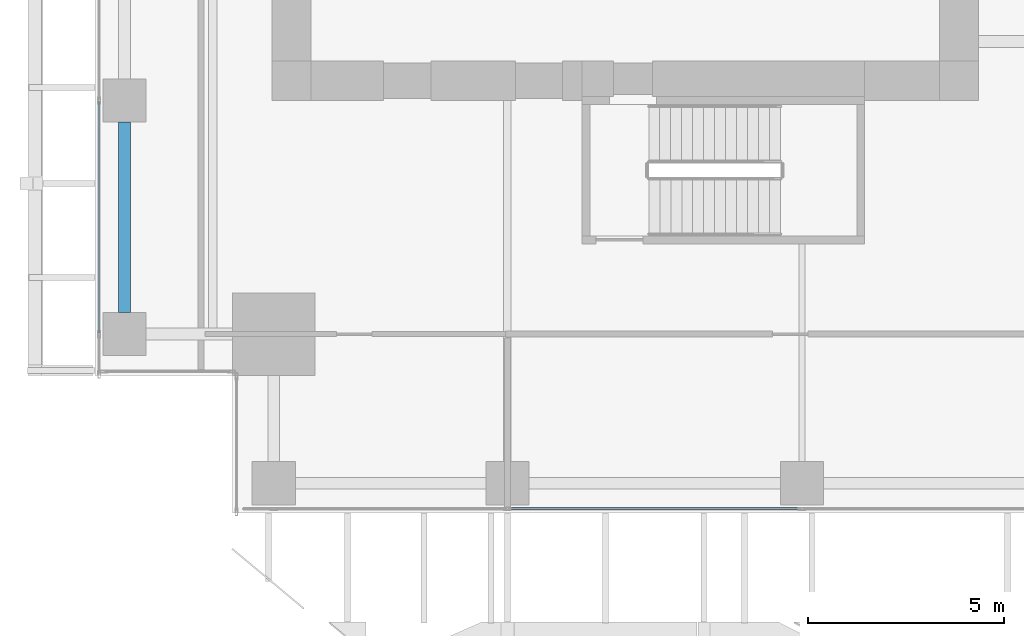
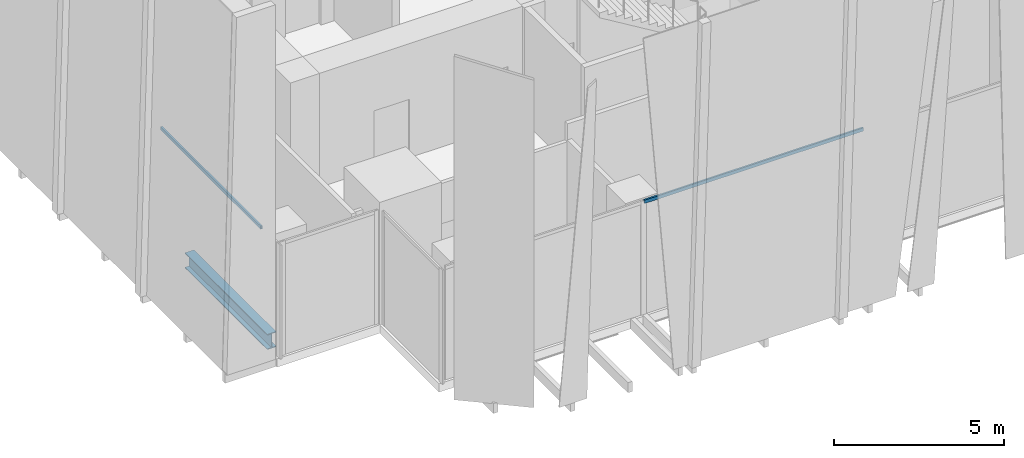
# One storey, part 3 of 36: 2 members, 1 beam, 2 elements without a shape of their own.
"""IFC4 building model written with IfcOpenShell, lengths in metres."""

import ifcopenshell
import ifcopenshell.guid

model = None  # the IFC model being written
_history = None  # IfcOwnerHistory: only IFC2X3 demands one
_inside = {}  # id of a spatial element -> (the spatial element, [elements in it])
_under = {}  # id of a project, library or spatial element -> (it, [spatial elements below it])
_declared = {}  # id of a project -> (the project, [libraries it declares])
_typed = {}  # id of a type object -> (the type object, [elements of that type])
_made_of = {}  # id of a material, layer set ... -> (it, [elements and type objects made of it])


def new_model(schema):
    """Start an empty IFC model of exactly this schema.

    Asked for "IFC4X3", IfcOpenShell would pick the latest addendum, in which some entities
    have other attributes; the version numbers below select the first issue.
    IFC2X3 requires an IfcOwnerHistory on every rooted entity: one is made here for all.
    """
    global model, _history
    if schema == "IFC4X3":
        model = ifcopenshell.file(schema_version=(4, 3, 0, 0))
    else:
        model = ifcopenshell.file(schema=schema)
    _inside.clear()
    _under.clear()
    _declared.clear()
    _typed.clear()
    _made_of.clear()
    _history = None
    if model.schema == "IFC2X3":
        org = make("IfcOrganization", Name="unknown")
        user = make(
            "IfcPersonAndOrganization",
            ThePerson=make("IfcPerson", FamilyName="unknown"),
            TheOrganization=org,
        )
        app = make(
            "IfcApplication",
            ApplicationDeveloper=org,
            Version="unknown",
            ApplicationFullName="unknown",
            ApplicationIdentifier="unknown",
        )
        _history = make(
            "IfcOwnerHistory",
            OwningUser=user,
            OwningApplication=app,
            ChangeAction="ADDED",
            CreationDate=0,
        )
    return model


def make(cls, **values):
    """One entity of the class cls with the attributes given. An attribute that is None is left unset."""
    return model.create_entity(
        cls, **{name: value for name, value in values.items() if value is not None}
    )


def rooted(cls, **values):
    """An entity with a GlobalId (a new one), such as an element, a storey or a relation."""
    return make(cls, GlobalId=ifcopenshell.guid.new(), OwnerHistory=_history, **values)


def si_unit(unit_type, name, prefix=None):
    """IfcSIUnit, for example si_unit("LENGTHUNIT", "METRE", prefix="MILLI")."""
    return make("IfcSIUnit", UnitType=unit_type, Prefix=prefix, Name=name)


def assignment(units):
    """IfcUnitAssignment: the units of a project."""
    return None if units is None else make("IfcUnitAssignment", Units=units)


def point(xyz):
    """IfcCartesianPoint."""
    return None if xyz is None else make("IfcCartesianPoint", Coordinates=xyz)


def direction(xyz):
    """IfcDirection."""
    return None if xyz is None else make("IfcDirection", DirectionRatios=xyz)


def frame(location, z_axis=None, x_axis=None):
    """IfcAxis2Placement3D, a coordinate frame: its origin and axes. An axis left out is left unset."""
    return make(
        "IfcAxis2Placement3D",
        Location=point(location),
        Axis=direction(z_axis),
        RefDirection=direction(x_axis),
    )


def frame_2d(location, x_axis=None):
    """IfcAxis2Placement2D, a coordinate frame in the plane: its origin and x axis."""
    return make(
        "IfcAxis2Placement2D", Location=point(location), RefDirection=direction(x_axis)
    )


def origin():
    """The frame at (0, 0, 0) with its axes left unset."""
    return frame((0.0, 0.0, 0.0))


def origin_2d():
    """The frame at (0, 0) in the plane with its x axis left unset."""
    return frame_2d((0.0, 0.0))


def place(relative_to, where):
    """IfcLocalPlacement: puts the frame where relative to a parent placement (None: the world)."""
    return make(
        "IfcLocalPlacement", PlacementRelTo=relative_to, RelativePlacement=where
    )


def context(
    kind, dimensions, precision=None, world=None, true_north=None, identifier=None
):
    """IfcGeometricRepresentationContext, for example the 3D "Model" context."""
    return make(
        "IfcGeometricRepresentationContext",
        ContextIdentifier=identifier,
        ContextType=kind,
        CoordinateSpaceDimension=dimensions,
        Precision=precision,
        WorldCoordinateSystem=world,
        TrueNorth=true_north,
    )


def subcontext(parent, identifier, kind, view, scale=None):
    """IfcGeometricRepresentationSubContext, for example "Body" below "Model"."""
    return make(
        "IfcGeometricRepresentationSubContext",
        ContextIdentifier=identifier,
        ContextType=kind,
        ParentContext=parent,
        TargetScale=scale,
        TargetView=view,
    )


def project(units=None, contexts=None):
    """IfcProject with its units and contexts."""
    return rooted(
        "IfcProject",
        Name="project",
        RepresentationContexts=contexts,
        UnitsInContext=assignment(units),
    )


def spatial(cls, under=None, at=None, **own):
    """A site, building, storey or space (cls), placed at a placement, below another one or the project."""
    s = rooted(cls, ObjectPlacement=at, **own)
    if under is not None:
        _under.setdefault(under.id(), (under, []))[1].append(s)
    return s


def profile(cls, at=None, kind="AREA", **sizes):
    """A parametric profile (cls). Its sizes go by their IFC names, for example OverallWidth=200.0."""
    return make(cls, ProfileType=kind, Position=at, **sizes)


def hollow_rectangle(**sizes):
    """IfcRectangleHollowProfileDef."""
    return profile("IfcRectangleHollowProfileDef", **sizes)


def i_section(**sizes):
    """IfcIShapeProfileDef."""
    return profile("IfcIShapeProfileDef", **sizes)


def extrude(swept, where, along, depth):
    """IfcExtrudedAreaSolid: the profile swept, set in the frame where, extruded along a direction by depth."""
    return make(
        "IfcExtrudedAreaSolid",
        SweptArea=swept,
        Position=where,
        ExtrudedDirection=direction(along),
        Depth=depth,
    )


def shape(context_of_items, identifier, shape_type, items):
    """IfcShapeRepresentation: the items that make up one representation, for example the "Body"."""
    return make(
        "IfcShapeRepresentation",
        ContextOfItems=context_of_items,
        RepresentationIdentifier=identifier,
        RepresentationType=shape_type,
        Items=items,
    )


def source(mapping_origin, context_of_items, identifier, shape_type, items):
    """IfcRepresentationMap: a shape defined once, which mapped items show again and again."""
    return make(
        "IfcRepresentationMap",
        MappingOrigin=mapping_origin,
        MappedRepresentation=shape(context_of_items, identifier, shape_type, items),
    )


def transform(
    local_origin,
    x_axis=None,
    y_axis=None,
    z_axis=None,
    scale=None,
    scale2=None,
    scale3=None,
    uniform=True,
):
    """IfcCartesianTransformationOperator3D, or its non-uniform kind. x_axis, y_axis, z_axis: its Axis1, 2, 3."""
    if uniform:
        return make(
            "IfcCartesianTransformationOperator3D",
            Axis1=direction(x_axis),
            Axis2=direction(y_axis),
            LocalOrigin=point(local_origin),
            Scale=scale,
            Axis3=direction(z_axis),
        )
    return make(
        "IfcCartesianTransformationOperator3DnonUniform",
        Axis1=direction(x_axis),
        Axis2=direction(y_axis),
        LocalOrigin=point(local_origin),
        Scale=scale,
        Axis3=direction(z_axis),
        Scale2=scale2,
        Scale3=scale3,
    )


def mapped(mapping_source, mapping_target):
    """IfcMappedItem: shows the shape of a source again, moved by a transform."""
    return make(
        "IfcMappedItem", MappingSource=mapping_source, MappingTarget=mapping_target
    )


def material(Name=None, Category=None):
    """IfcMaterial."""
    return make("IfcMaterial", Name=Name, Category=Category)


def material_profile(
    of_material, cross_section, Name=None, Category=None, Priority=None
):
    """IfcMaterialProfile: a cross section and its material."""
    return make(
        "IfcMaterialProfile",
        Name=Name,
        Material=of_material,
        Profile=cross_section,
        Priority=Priority,
        Category=Category,
    )


def profile_set(profiles, Name=None, composite=None):
    """IfcMaterialProfileSet."""
    return make(
        "IfcMaterialProfileSet",
        Name=Name,
        MaterialProfiles=profiles,
        CompositeProfile=composite,
    )


def made_of(thing, what):
    """Note that an element or type object is made of a material, layer set ...; save() writes the relation."""
    if what is not None:
        _made_of.setdefault(what.id(), (what, []))[1].append(thing)
    return thing


def type_object(cls, material=None, **own):
    """A type object (cls), such as IfcWallType, which elements share."""
    return made_of(rooted(cls, **own), material)


def element(
    cls,
    number,
    at=None,
    inside=None,
    cuts=None,
    type_object=None,
    material=None,
    context=None,
    identifier="Body",
    shape_type=None,
    held_by="IfcProductDefinitionShape",
    body=None,
    shapes=None,
    **own,
):
    """One element of the class cls, such as IfcWall. Its Tag is "e" and its number.

    at: its placement. inside: the storey or other place that contains it. cuts: it is an
    opening in that element (IfcRelVoidsElement). A single representation is given by context,
    identifier, shape_type and body (its items); several are given by shapes. held_by: the class
    of the entity that holds the representations. save() writes the other relations.
    """
    e = rooted(cls, Tag="e%d" % number, ObjectPlacement=at, **own)
    if body is not None:
        shapes = [shape(context, identifier, shape_type, body)]
    if shapes is not None:
        e.Representation = make(held_by, Representations=shapes)
    if inside is not None:
        _inside.setdefault(inside.id(), (inside, []))[1].append(e)
    if cuts is not None:
        rooted(
            "IfcRelVoidsElement", RelatingBuildingElement=cuts, RelatedOpeningElement=e
        )
    if type_object is not None:
        _typed.setdefault(type_object.id(), (type_object, []))[1].append(e)
    return made_of(e, material)


def aggregate(whole, parts):
    """IfcRelAggregates: a whole, such as a stair, and the parts it consists of."""
    return rooted("IfcRelAggregates", RelatingObject=whole, RelatedObjects=parts)


def save(model, path):
    """Write the relations noted so far, then the file.

    IfcRelAggregates (storeys below a building ...), IfcRelContainedInSpatialStructure (elements
    in a storey), IfcRelDefinesByType, IfcRelAssociatesMaterial and IfcRelDeclares: one each for
    every whole, place, type object, material and project.
    """
    for whole, parts in _under.values():
        aggregate(whole, parts)
    for where, things in _inside.values():
        rooted(
            "IfcRelContainedInSpatialStructure",
            RelatedElements=things,
            RelatingStructure=where,
        )
    for kind, things in _typed.values():
        rooted("IfcRelDefinesByType", RelatedObjects=things, RelatingType=kind)
    for what, things in _made_of.values():
        rooted("IfcRelAssociatesMaterial", RelatedObjects=things, RelatingMaterial=what)
    for by, libraries in _declared.values():
        rooted("IfcRelDeclares", RelatingContext=by, RelatedDefinitions=libraries)
    model.write(path)


model = new_model("IFC4")

# Units and contexts
model_context = context("Model", 3, precision=1e-05, world=origin(), true_north=direction((0.0, 1.0)))
body_context = subcontext(model_context, "Body", "Model", "MODEL_VIEW")
ifc_project = project(units=[si_unit("LENGTHUNIT", "METRE"), si_unit("AREAUNIT", "SQUARE_METRE"), si_unit("VOLUMEUNIT", "CUBIC_METRE"), si_unit("PLANEANGLEUNIT", "RADIAN"), si_unit("MASSUNIT", "GRAM", prefix="KILO")], contexts=[model_context])

# Site, building, storey
site_placement = place(None, origin())
site = spatial("IfcSite", under=ifc_project, at=site_placement, CompositionType="ELEMENT")
building_placement = place(site_placement, origin())
building = spatial("IfcBuilding", under=site, at=building_placement, Name="Khomas Fold Tower", CompositionType="ELEMENT")
storey_placement = place(building_placement, frame((0.0, 0.0, 141.10009765625)))
storey = spatial("IfcBuildingStorey", under=building, at=storey_placement, Name="L30", CompositionType="ELEMENT", Elevation=141.10009765625)

# Beam
ifc_material_1 = material(Name="Steel S355", Category="steel")
ifc_material_profile_1 = material_profile(ifc_material_1, i_section(OverallWidth=0.300048828125, OverallDepth=0.550048828125, WebThickness=0.014892578125, FlangeThickness=0.029052734375, at=origin_2d()), Name="HE 550 B")
ifc_profile_set_1 = profile_set([ifc_material_profile_1], Name="Steel S355")
beam_type = type_object("IfcBeamType", Name="HE 550 B spandrel SB2", PredefinedType="SPANDREL", material=ifc_profile_set_1)
shared_shape_1 = source(origin(), body_context, "Body", "SweptSolid", [
    extrude(i_section(OverallWidth=0.300048828125, OverallDepth=0.550048828125, WebThickness=0.014892578125, FlangeThickness=0.029052734375, at=origin_2d()), origin(), (0.0, 0.0, 1.0), 4.849853515625),
])
beam_placement = place(storey_placement, frame((2.25, 6.60009765625, -0.5751953125), z_axis=(0.0, 1.0, 0.0), x_axis=(-1.0, 0.0, 0.0)))
element("IfcBeam", 1, at=beam_placement, inside=storey, type_object=beam_type, Name="SB2", PredefinedType="SPANDREL", context=body_context, shape_type="MappedRepresentation", body=[
    mapped(shared_shape_1, transform((0.0, 0.0, 0.0))),
])

# Curtain wall, member
ifc_material_2 = material(Name="Aluminium framed double glazing", Category="aluminium")
curtain_wall_type = type_object("IfcCurtainWallType", Name="SK-Unitised clear-glass wall, growing floors CW1", PredefinedType="NOTDEFINED", material=ifc_material_2)
curtain_wall_1_placement = place(storey_placement, origin())
curtain_wall_1 = element("IfcCurtainWall", 2, at=curtain_wall_1_placement, inside=storey, type_object=curtain_wall_type, Name="CW1 run L30 00-0", PredefinedType="NOTDEFINED")
ifc_material_3 = material(Name="Aluminium", Category="aluminium")
ifc_material_profile_2 = material_profile(ifc_material_3, hollow_rectangle(XDim=0.06005859375, YDim=0.1201171875, WallThickness=0.00390625, at=origin_2d()), Name="SK-Unitised clear-glass wall, growing floors transom CW1-T")
ifc_profile_set_2 = profile_set([ifc_material_profile_2], Name="Aluminium")
member_type = type_object("IfcMemberType", Name="SK-Unitised clear-glass wall, growing floors transom CW1-T", PredefinedType="USERDEFINED", material=ifc_profile_set_2)
shared_shape_2 = source(origin(), body_context, "Body", "SweptSolid", [
    extrude(hollow_rectangle(XDim=0.06005859375, YDim=0.1201171875, WallThickness=0.00390625, at=origin_2d()), origin(), (0.0, 0.0, 1.0), 7.43994140625),
])
member_1_placement = place(storey_placement, frame((12.030029296875, 1.60009765625, 4.039794921875), z_axis=(1.0, 0.0, 0.0), x_axis=(0.0, 1.0, 0.0)))
member_1 = element("IfcMember", 3, at=member_1_placement, type_object=member_type, Name="CW1 transom 3", ObjectType="TRANSOM", PredefinedType="USERDEFINED", context=body_context, shape_type="MappedRepresentation", body=[
    mapped(shared_shape_2, transform((0.0, 0.0, 0.0))),
])
aggregate(curtain_wall_1, [member_1])

curtain_wall_2_placement = place(storey_placement, origin())
curtain_wall_2 = element("IfcCurtainWall", 4, at=curtain_wall_2_placement, inside=storey, type_object=curtain_wall_type, Name="CW1 run L30 09-0", PredefinedType="NOTDEFINED")
shared_shape_3 = source(origin(), body_context, "Body", "SweptSolid", [
    extrude(hollow_rectangle(XDim=0.06005859375, YDim=0.1201171875, WallThickness=0.00390625, at=origin_2d()), origin(), (0.0, 0.0, 1.0), 5.889892578125),
])
member_2_placement = place(storey_placement, frame((1.60009765625, 11.969970703125, 4.039794921875), z_axis=(0.0, -1.0, 0.0), x_axis=(1.0, 0.0, 0.0)))
member_2 = element("IfcMember", 5, at=member_2_placement, type_object=member_type, Name="CW1 transom 7", ObjectType="TRANSOM", PredefinedType="USERDEFINED", context=body_context, shape_type="MappedRepresentation", body=[
    mapped(shared_shape_3, transform((0.0, 0.0, 0.0))),
])
aggregate(curtain_wall_2, [member_2])

save(model, "model.ifc")
